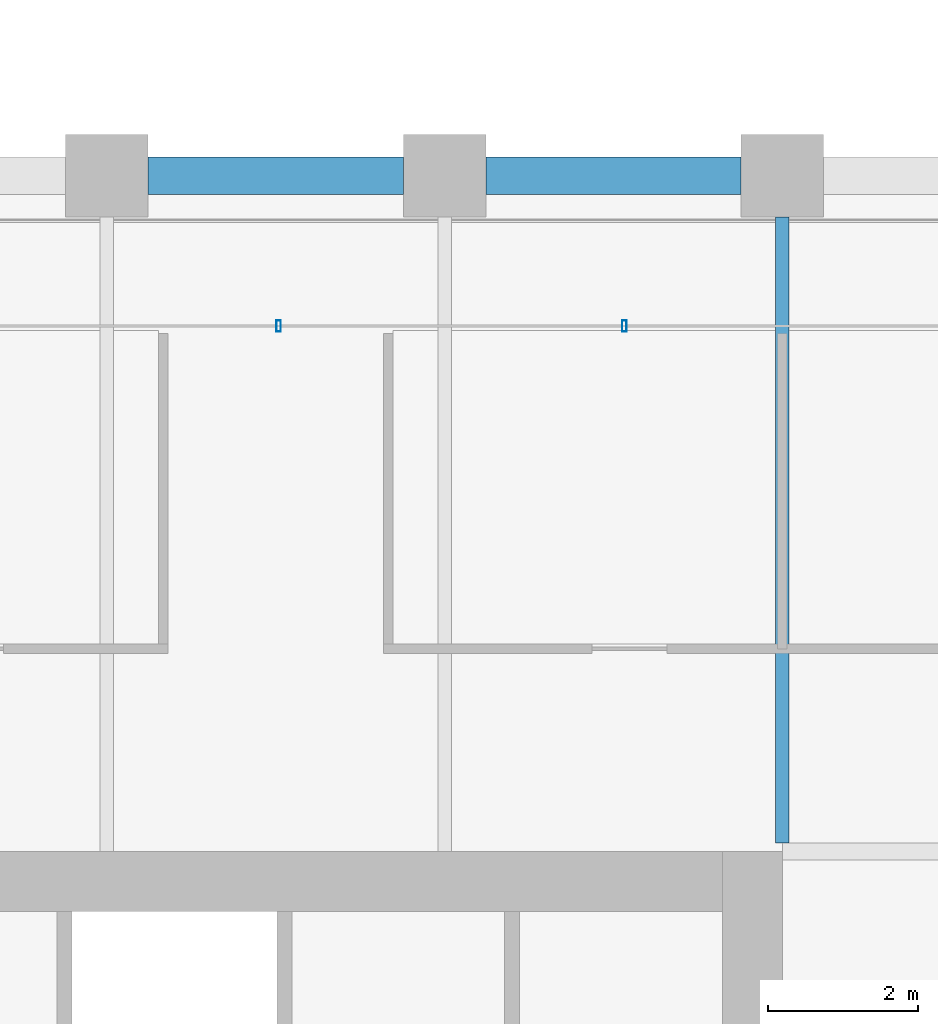
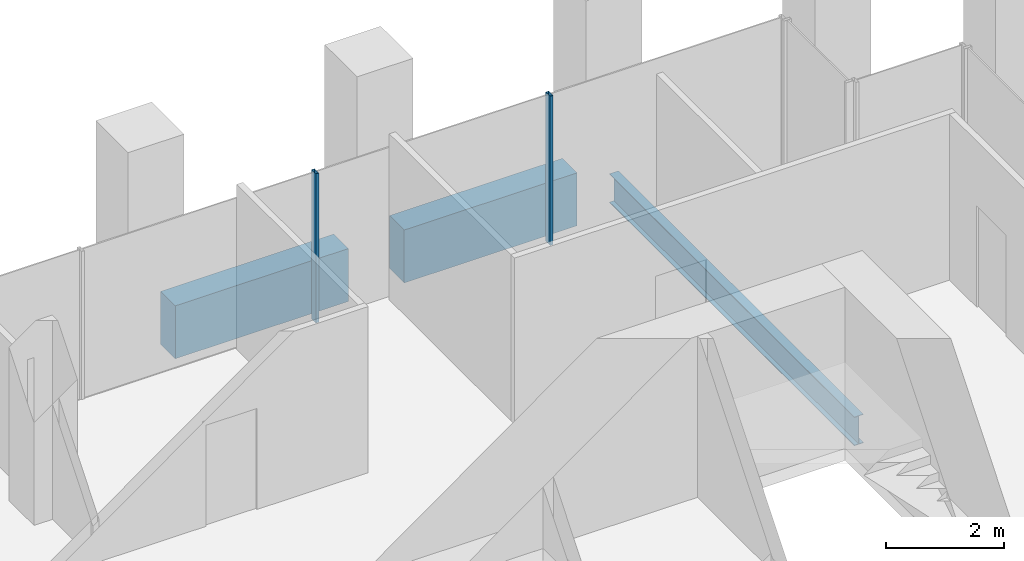
# One storey, part 44 of 56: 3 beams, 2 members, 1 element without a shape of its own.
"""IFC4 building model written with IfcOpenShell, lengths in metres."""

from ifc_helpers import new_model, si_unit, direction, frame, origin, origin_2d, place, context, subcontext, project, spatial, rectangle, hollow_rectangle, i_section, extrude, material, material_profile, profile_set, type_object, element, aggregate, save


model = new_model("IFC4")

# Units and contexts
model_context = context("Model", 3, precision=1e-05, world=origin(), true_north=direction((0.0, 1.0)))
body_context = subcontext(model_context, "Body", "Model", "MODEL_VIEW")
ifc_project = project(units=[si_unit("LENGTHUNIT", "METRE"), si_unit("AREAUNIT", "SQUARE_METRE"), si_unit("VOLUMEUNIT", "CUBIC_METRE"), si_unit("PLANEANGLEUNIT", "RADIAN"), si_unit("MASSUNIT", "GRAM", prefix="KILO")], contexts=[model_context])

# Site, building, storey
site_placement = place(None, origin())
site = spatial("IfcSite", under=ifc_project, at=site_placement, CompositionType="ELEMENT")
building_placement = place(site_placement, origin())
building = spatial("IfcBuilding", under=site, at=building_placement, Name="Altepetl Exchange Towers", CompositionType="ELEMENT")
storey_placement = place(building_placement, frame((0.0, 0.0, 54.60009765625)))
storey = spatial("IfcBuildingStorey", under=building, at=storey_placement, Name="L12", CompositionType="ELEMENT", Elevation=54.60009765625)

# Beam
ifc_material_1 = material(Name="Steel S355", Category="steel")
ifc_material_profile_1 = material_profile(ifc_material_1, i_section(OverallWidth=0.177978515625, OverallDepth=0.59912109375, WebThickness=0.010009765625, FlangeThickness=0.0126953125, at=origin_2d()), Name="W24X55")
ifc_profile_set_1 = profile_set([ifc_material_profile_1], Name="Steel S355")
beam_type_1 = type_object("IfcBeamType", Name="Floor beam W24X55", PredefinedType="BEAM", material=ifc_profile_set_1)
beam_placement = place(storey_placement, frame((117.0, 49.614013671875, -0.44970703125), z_axis=(0.0, 1.0, 0.0), x_axis=(-1.0, 0.0, 0.0)))
element("IfcBeam", 1, at=beam_placement, inside=storey, type_object=beam_type_1, Name="bm:B:L12:002", PredefinedType="BEAM", context=body_context, shape_type="SweptSolid", body=[
    extrude(i_section(OverallWidth=0.177978515625, OverallDepth=0.59912109375, WebThickness=0.010009765625, FlangeThickness=0.0126953125, at=origin_2d()), origin(), (0.0, 0.0, 1.0), 8.3359375),
])

# Curtain wall, members
ifc_material_2 = material(Name="Aluminium 6063-T6 glazing", Category="aluminium")
curtain_wall_type = type_object("IfcCurtainWallType", Name="Loggia glazing system", PredefinedType="NOTDEFINED", material=ifc_material_2)
curtain_wall_placement = place(storey_placement, origin())
curtain_wall = element("IfcCurtainWall", 2, at=curtain_wall_placement, inside=storey, type_object=curtain_wall_type, Name="CW1 run", PredefinedType="NOTDEFINED")
ifc_material_3 = material(Name="Aluminium 6063-T6", Category="aluminium")
ifc_material_profile_2 = material_profile(ifc_material_3, hollow_rectangle(XDim=0.06005859375, YDim=0.14990234375, WallThickness=0.0029296875, at=origin_2d()), Name="Mullion 60x150 aluminium")
ifc_profile_set_2 = profile_set([ifc_material_profile_2], Name="Aluminium 6063-T6")
member_type = type_object("IfcMemberType", Name="Mullion 60x150 aluminium", PredefinedType="MULLION", material=ifc_profile_set_2)
member_1_placement = place(storey_placement, frame((114.893798828125, 56.5, 0.0), z_axis=(0.0, 0.0, 1.0), x_axis=(-1.0, 0.0, 0.0)))
member_1 = element("IfcMember", 3, at=member_1_placement, type_object=member_type, Name="MU1 mullion", PredefinedType="MULLION", context=body_context, shape_type="SweptSolid", body=[
    extrude(hollow_rectangle(XDim=0.06005859375, YDim=0.14990234375, WallThickness=0.0029296875, at=origin_2d()), origin(), (0.0, 0.0, 1.0), 3.099853515625),
])
member_2_placement = place(storey_placement, frame((110.28759765625, 56.5, 0.0), z_axis=(0.0, 0.0, 1.0), x_axis=(-1.0, 0.0, 0.0)))
member_2 = element("IfcMember", 4, at=member_2_placement, type_object=member_type, Name="MU1 mullion", PredefinedType="MULLION", context=body_context, shape_type="SweptSolid", body=[
    extrude(hollow_rectangle(XDim=0.06005859375, YDim=0.14990234375, WallThickness=0.0029296875, at=origin_2d()), origin(), (0.0, 0.0, 1.0), 3.099853515625),
])
aggregate(curtain_wall, [member_1, member_2])

# Beams
ifc_material_4 = material(Name="Concrete C50/60 precast with cantera amarilla facing", Category="concrete")
ifc_material_profile_3 = material_profile(ifc_material_4, rectangle(XDim=0.5, YDim=1.10009765625, at=origin_2d()), Name="500 x 1100")
ifc_profile_set_3 = profile_set([ifc_material_profile_3], Name="Concrete C50/60 precast with cantera amarilla facing")
beam_type_2 = type_object("IfcBeamType", Name="Spandrel beam 500x1100 cantera amarilla", PredefinedType="SPANDREL", material=ifc_profile_set_3)
for number, where, z_axis, x_axis, name in (
    (5, (116.449951171875, 58.5, -0.7001953125), (-1.0, 0.0, 0.0), (0.0, -1.0, 0.0), "sp:B:L12:019"),
    (6, (111.949951171875, 58.5, -0.7001953125), (-1.0, 0.0, 0.0), (0.0, -1.0, 0.0), "sp:B:L12:020"),
):
    element("IfcBeam", number, at=place(storey_placement, frame(where, z_axis=z_axis, x_axis=x_axis)), inside=storey, type_object=beam_type_2, Name=name, PredefinedType="SPANDREL", context=body_context, shape_type="SweptSolid", body=[
        extrude(rectangle(XDim=0.5, YDim=1.10009765625, at=origin_2d()), origin(), (0.0, 0.0, 1.0), 3.39990234375),
    ])

save(model, "model.ifc")
